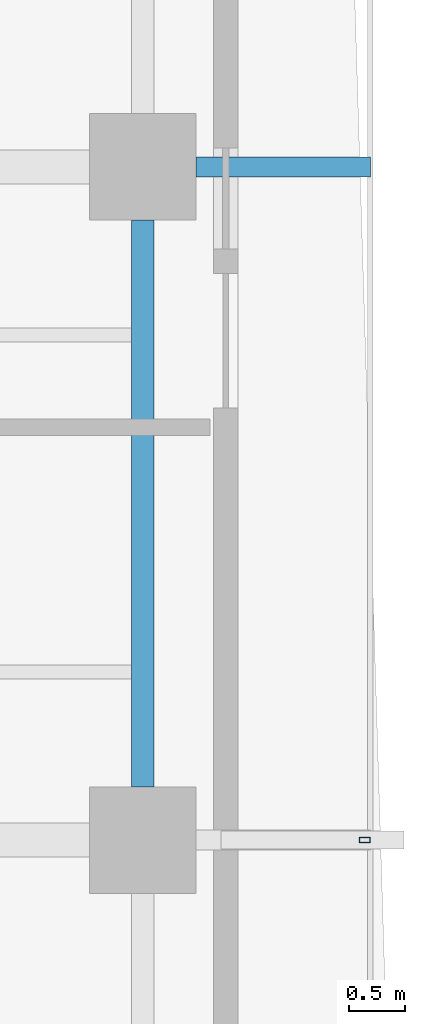
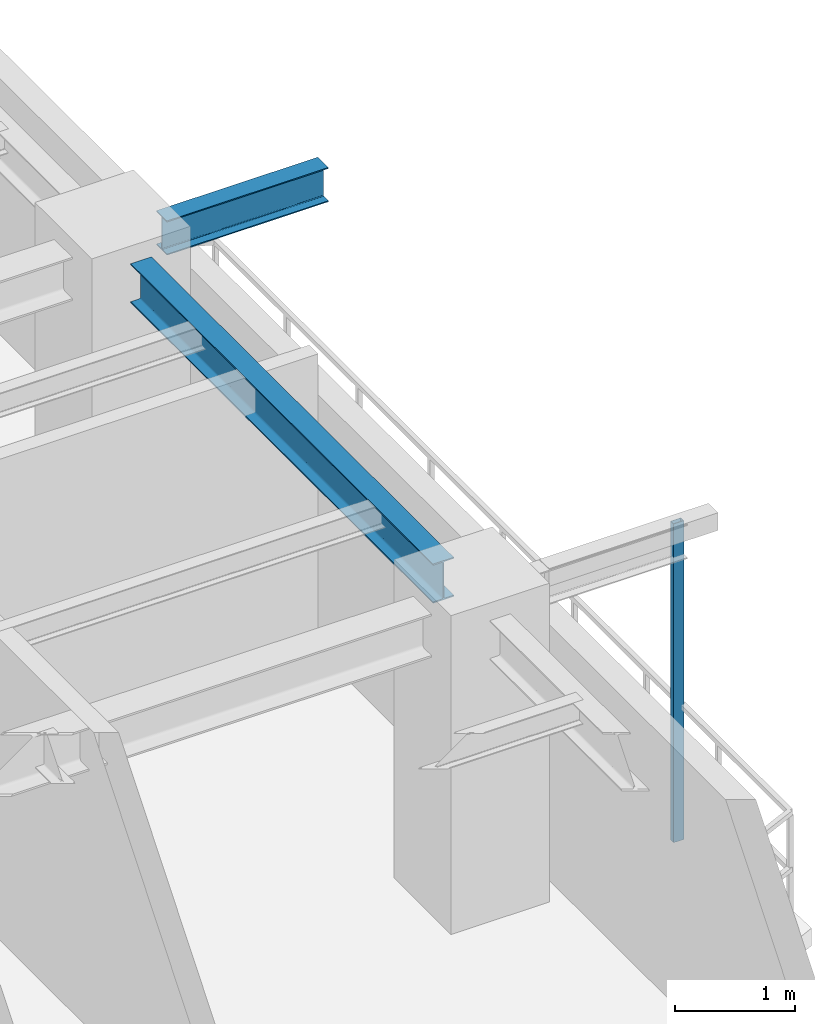
# One storey, part 8 of 18: 2 beams, 1 member.
"""IFC4 building model written with IfcOpenShell, lengths in metres."""

from ifc_helpers import new_model, si_unit, direction, frame, origin, origin_2d, place, context, subcontext, project, spatial, hollow_rectangle, i_section, extrude, source, transform, mapped, material, material_profile, profile_set, type_object, element, save


model = new_model("IFC4")

# Units and contexts
model_context = context("Model", 3, precision=1e-05, world=origin(), true_north=direction((0.0, 1.0)))
body_context = subcontext(model_context, "Body", "Model", "MODEL_VIEW")
ifc_project = project(units=[si_unit("LENGTHUNIT", "METRE"), si_unit("AREAUNIT", "SQUARE_METRE"), si_unit("VOLUMEUNIT", "CUBIC_METRE"), si_unit("PLANEANGLEUNIT", "RADIAN"), si_unit("MASSUNIT", "GRAM", prefix="KILO"), si_unit("THERMODYNAMICTEMPERATUREUNIT", "KELVIN"), si_unit("POWERUNIT", "WATT")], contexts=[model_context])

# Site, building, storey
site_placement = place(None, origin())
site = spatial("IfcSite", under=ifc_project, at=site_placement, CompositionType="ELEMENT")
building_placement = place(site_placement, origin())
building = spatial("IfcBuilding", under=site, at=building_placement, Name="Qiaomeng Ring Towers", CompositionType="ELEMENT")
storey_placement = place(building_placement, frame((0.0, 0.0, 147.0)))
storey = spatial("IfcBuildingStorey", under=building, at=storey_placement, Name="L42", CompositionType="ELEMENT", Elevation=147.0)

# Beams
ifc_material_1 = material(Name="Steel Q355B", Category="steel")
ifc_material_profile_1 = material_profile(ifc_material_1, i_section(OverallWidth=0.199951171875, OverallDepth=0.39990234375, WebThickness=0.008056640625, FlangeThickness=0.012939453125, FilletRadius=0.01611328125, at=origin_2d()), Name="HN 400x200x8x13")
ifc_profile_set_1 = profile_set([ifc_material_profile_1], Name="Steel Q355B")
beam_type_1 = type_object("IfcBeamType", Name="STR-BM-HN400", PredefinedType="SPANDREL", material=ifc_profile_set_1)
shared_shape_1 = source(origin(), body_context, "Body", "SweptSolid", [
    extrude(i_section(OverallWidth=0.199951171875, OverallDepth=0.39990234375, WebThickness=0.008056640625, FlangeThickness=0.012939453125, FilletRadius=0.01611328125, at=origin_2d()), origin(), (0.0, 0.0, 1.0), 5.0517578125),
])
beam_1_placement = place(storey_placement, frame((36.050048828125, 20.47412109375, 2.8701171875), z_axis=(0.0, 1.0, 0.0), x_axis=(-1.0, 0.0, 0.0)))
element("IfcBeam", 1, at=beam_1_placement, inside=storey, type_object=beam_type_1, Name="L42 beam STR-SP-L42-T1-E2-E3", PredefinedType="SPANDREL", context=body_context, shape_type="MappedRepresentation", body=[
    mapped(shared_shape_1, transform((0.0, 0.0, 0.0), x_axis=(1.0, 0.0, 0.0), y_axis=(0.0, 1.0, 0.0), z_axis=(0.0, 0.0, 1.0), scale=1.0)),
])
ifc_material_profile_2 = material_profile(ifc_material_1, i_section(OverallWidth=0.175048828125, OverallDepth=0.35009765625, WebThickness=0.007080078125, FlangeThickness=0.010986328125, FilletRadius=0.013916015625, at=origin_2d()), Name="HN 350x175x7x11")
ifc_profile_set_2 = profile_set([ifc_material_profile_2], Name="Steel Q355B")
beam_type_2 = type_object("IfcBeamType", Name="STR-BM-HN350", PredefinedType="JOIST", material=ifc_profile_set_2)
shared_shape_2 = source(origin(), body_context, "Body", "SweptSolid", [
    extrude(i_section(OverallWidth=0.175048828125, OverallDepth=0.35009765625, WebThickness=0.007080078125, FlangeThickness=0.010986328125, FilletRadius=0.013916015625, at=origin_2d()), origin(), (0.0, 0.0, 1.0), 1.55615234375),
])
beam_2_placement = place(storey_placement, frame((36.52392578125, 26.0, 2.89501953125), z_axis=(1.0, 0.0, 0.0), x_axis=(0.0, 1.0, 0.0)))
element("IfcBeam", 2, at=beam_2_placement, inside=storey, type_object=beam_type_2, Name="L42 beam STR-BALBM-L42-E3", PredefinedType="JOIST", context=body_context, shape_type="MappedRepresentation", body=[
    mapped(shared_shape_2, transform((0.0, 0.0, 0.0), x_axis=(1.0, 0.0, 0.0), y_axis=(0.0, 1.0, 0.0), z_axis=(0.0, 0.0, 1.0), scale=1.0)),
])

# Member
ifc_material_2 = material(Name="Stainless steel 316", Category="steel")
ifc_material_profile_3 = material_profile(ifc_material_2, hollow_rectangle(XDim=0.050048828125, YDim=0.10009765625, WallThickness=0.00390625, at=origin_2d()), Name="SS TRELLIS 100x50")
ifc_profile_set_3 = profile_set([ifc_material_profile_3], Name="Stainless steel 316")
member_type = type_object("IfcMemberType", Name="ARC-TR-POST2", PredefinedType="STUD", material=ifc_profile_set_3)
shared_shape_3 = source(origin(), body_context, "Body", "SweptSolid", [
    extrude(hollow_rectangle(XDim=0.050048828125, YDim=0.10009765625, WallThickness=0.00390625, at=origin_2d()), origin(), (0.0, 0.0, 1.0), 3.25),
])
member_placement = place(storey_placement, frame((38.030029296875, 20.0, -0.179931640625), z_axis=(0.0, 0.0, 1.0), x_axis=(0.0, 1.0, 0.0)))
element("IfcMember", 3, at=member_placement, inside=storey, type_object=member_type, Name="L42 Outer Ventilated Trellis Post E", PredefinedType="STUD", context=body_context, shape_type="MappedRepresentation", body=[
    mapped(shared_shape_3, transform((0.0, 0.0, 0.0), x_axis=(1.0, 0.0, 0.0), y_axis=(0.0, 1.0, 0.0), z_axis=(0.0, 0.0, 1.0), scale=1.0)),
])

save(model, "model.ifc")
